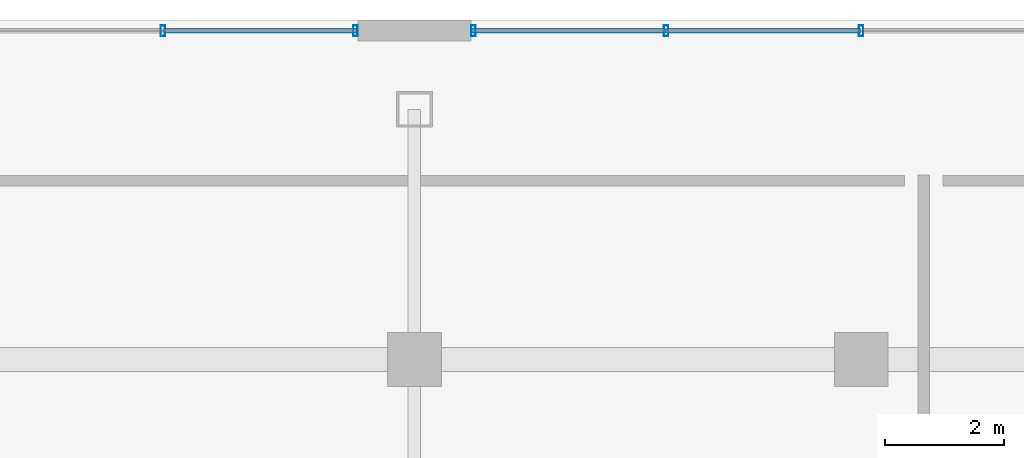
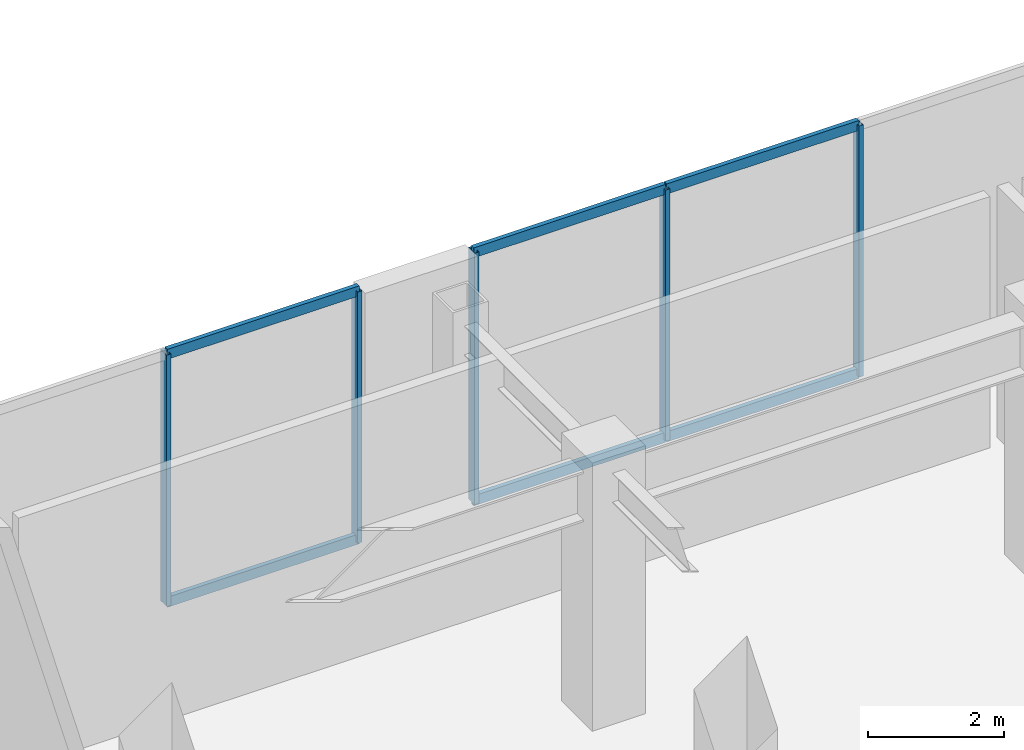
# One storey, part 6 of 15: 11 members, 2 elements without a shape of their own.
"""IFC4 building model written with IfcOpenShell, lengths in metres."""

from ifc_helpers import new_model, si_unit, direction, frame, origin, origin_2d, place, context, subcontext, project, spatial, hollow_rectangle, extrude, material, material_profile, profile_set, type_object, element, aggregate, save


model = new_model("IFC4")

# Units and contexts
model_context = context("Model", 3, precision=1e-05, world=origin(), true_north=direction((0.0, 1.0)))
body_context = subcontext(model_context, "Body", "Model", "MODEL_VIEW")
ifc_project = project(units=[si_unit("LENGTHUNIT", "METRE"), si_unit("AREAUNIT", "SQUARE_METRE"), si_unit("VOLUMEUNIT", "CUBIC_METRE"), si_unit("PLANEANGLEUNIT", "RADIAN"), si_unit("MASSUNIT", "GRAM", prefix="KILO")], contexts=[model_context])

# Site, building, storey
site_placement = place(None, origin())
site = spatial("IfcSite", under=ifc_project, at=site_placement, CompositionType="ELEMENT")
building_placement = place(site_placement, origin())
building = spatial("IfcBuilding", under=site, at=building_placement, Name="Ventersveld Concourse Tower", CompositionType="ELEMENT")
storey_placement = place(building_placement, frame((0.0, 0.0, 5.39990234375)))
storey = spatial("IfcBuildingStorey", under=building, at=storey_placement, Name="L01", CompositionType="ELEMENT", Elevation=5.39990234375)

# Curtain wall, members
ifc_material = material(Name="Anodised aluminium EN AW-6063-T6", Category="aluminium")
curtain_wall_type = type_object("IfcCurtainWallType", Name="CW-POD-2", PredefinedType="NOTDEFINED", material=ifc_material)
curtain_wall_1_placement = place(storey_placement, origin())
curtain_wall_1 = element("IfcCurtainWall", 1, at=curtain_wall_1_placement, inside=storey, type_object=curtain_wall_type, Name="L01 L01 Podium Gallery Curtain Wall 2", PredefinedType="NOTDEFINED")
ifc_material_profile_1 = material_profile(ifc_material, hollow_rectangle(XDim=0.074951171875, YDim=0.179931640625, WallThickness=0.00390625, at=origin_2d()), Name="ALU 180x75x4")
ifc_profile_set_1 = profile_set([ifc_material_profile_1], Name="Anodised aluminium EN AW-6063-T6")
member_type_1 = type_object("IfcMemberType", Name="CWM-180x75", PredefinedType="MULLION", material=ifc_profile_set_1)
member_1_placement = place(storey_placement, frame((24.52490234375, 49.52001953125, 0.0), z_axis=(0.0, 0.0, 1.0), x_axis=(1.0, 0.0, 0.0)))
member_1 = element("IfcMember", 2, at=member_1_placement, type_object=member_type_1, Name="CW-L01-N2 Mullion 04", PredefinedType="MULLION", context=body_context, shape_type="SweptSolid", body=[
    extrude(hollow_rectangle(XDim=0.074951171875, YDim=0.179931640625, WallThickness=0.00390625, at=origin_2d()), origin(), (0.0, 0.0, 1.0), 4.5),
])
member_2_placement = place(storey_placement, frame((27.760009765625, 49.52001953125, 0.0), z_axis=(0.0, 0.0, 1.0), x_axis=(1.0, 0.0, 0.0)))
member_2 = element("IfcMember", 3, at=member_2_placement, type_object=member_type_1, Name="CW-L01-N2 Mullion 05", PredefinedType="MULLION", context=body_context, shape_type="SweptSolid", body=[
    extrude(hollow_rectangle(XDim=0.074951171875, YDim=0.179931640625, WallThickness=0.00390625, at=origin_2d()), origin(), (0.0, 0.0, 1.0), 4.5),
])

curtain_wall_2_placement = place(storey_placement, origin())
curtain_wall_2 = element("IfcCurtainWall", 4, at=curtain_wall_2_placement, inside=storey, type_object=curtain_wall_type, Name="L01 L01 Podium Gallery Curtain Wall 3", PredefinedType="NOTDEFINED")
member_3_placement = place(storey_placement, frame((29.739990234375, 49.52001953125, 0.0), z_axis=(0.0, 0.0, 1.0), x_axis=(1.0, 0.0, 0.0)))
member_3 = element("IfcMember", 5, at=member_3_placement, type_object=member_type_1, Name="CW-L01-N3 Mullion 01", PredefinedType="MULLION", context=body_context, shape_type="SweptSolid", body=[
    extrude(hollow_rectangle(XDim=0.074951171875, YDim=0.179931640625, WallThickness=0.00390625, at=origin_2d()), origin(), (0.0, 0.0, 1.0), 4.5),
])
member_4_placement = place(storey_placement, frame((32.97509765625, 49.52001953125, 0.0), z_axis=(0.0, 0.0, 1.0), x_axis=(1.0, 0.0, 0.0)))
member_4 = element("IfcMember", 6, at=member_4_placement, type_object=member_type_1, Name="CW-L01-N3 Mullion 02", PredefinedType="MULLION", context=body_context, shape_type="SweptSolid", body=[
    extrude(hollow_rectangle(XDim=0.074951171875, YDim=0.179931640625, WallThickness=0.00390625, at=origin_2d()), origin(), (0.0, 0.0, 1.0), 4.5),
])
member_5_placement = place(storey_placement, frame((36.25, 49.52001953125, 0.0), z_axis=(0.0, 0.0, 1.0), x_axis=(1.0, 0.0, 0.0)))
member_5 = element("IfcMember", 7, at=member_5_placement, type_object=member_type_1, Name="CW-L01-N3 Mullion 03", PredefinedType="MULLION", context=body_context, shape_type="SweptSolid", body=[
    extrude(hollow_rectangle(XDim=0.074951171875, YDim=0.179931640625, WallThickness=0.00390625, at=origin_2d()), origin(), (0.0, 0.0, 1.0), 4.5),
])

# Member
ifc_material_profile_2 = material_profile(ifc_material, hollow_rectangle(XDim=0.074951171875, YDim=0.179931640625, WallThickness=0.00390625, at=origin_2d()), Name="ALU 180x75x4")
ifc_profile_set_2 = profile_set([ifc_material_profile_2], Name="Anodised aluminium EN AW-6063-T6")
member_type_2 = type_object("IfcMemberType", Name="CWT-180x75", PredefinedType="USERDEFINED", material=ifc_profile_set_2)
member_6_placement = place(storey_placement, frame((24.534912109375, 49.52001953125, 0.030029296875), z_axis=(1.0, 0.0, 0.0), x_axis=(0.0, 1.0, 0.0)))
member_6 = element("IfcMember", 8, at=member_6_placement, type_object=member_type_2, Name="CW-L01-N2 Transom 1-04", ObjectType="TRANSOM", PredefinedType="USERDEFINED", context=body_context, shape_type="SweptSolid", body=[
    extrude(hollow_rectangle(XDim=0.074951171875, YDim=0.179931640625, WallThickness=0.00390625, at=origin_2d()), origin(), (0.0, 0.0, 1.0), 3.2451171875),
])

member_7_placement = place(storey_placement, frame((24.534912109375, 49.52001953125, 4.47021484375), z_axis=(1.0, 0.0, 0.0), x_axis=(0.0, 1.0, 0.0)))
member_7 = element("IfcMember", 9, at=member_7_placement, type_object=member_type_2, Name="CW-L01-N2 Transom 2-04", ObjectType="TRANSOM", PredefinedType="USERDEFINED", context=body_context, shape_type="SweptSolid", body=[
    extrude(hollow_rectangle(XDim=0.074951171875, YDim=0.179931640625, WallThickness=0.00390625, at=origin_2d()), origin(), (0.0, 0.0, 1.0), 3.2451171875),
])

aggregate(curtain_wall_1, [member_1, member_2, member_6, member_7])

member_8_placement = place(storey_placement, frame((29.719970703125, 49.52001953125, 0.030029296875), z_axis=(1.0, 0.0, 0.0), x_axis=(0.0, 1.0, 0.0)))
member_8 = element("IfcMember", 10, at=member_8_placement, type_object=member_type_2, Name="CW-L01-N3 Transom 1-01", ObjectType="TRANSOM", PredefinedType="USERDEFINED", context=body_context, shape_type="SweptSolid", body=[
    extrude(hollow_rectangle(XDim=0.074951171875, YDim=0.179931640625, WallThickness=0.00390625, at=origin_2d()), origin(), (0.0, 0.0, 1.0), 3.2451171875),
])

member_9_placement = place(storey_placement, frame((32.985107421875, 49.52001953125, 0.030029296875), z_axis=(1.0, 0.0, 0.0), x_axis=(0.0, 1.0, 0.0)))
member_9 = element("IfcMember", 11, at=member_9_placement, type_object=member_type_2, Name="CW-L01-N3 Transom 1-02", ObjectType="TRANSOM", PredefinedType="USERDEFINED", context=body_context, shape_type="SweptSolid", body=[
    extrude(hollow_rectangle(XDim=0.074951171875, YDim=0.179931640625, WallThickness=0.00390625, at=origin_2d()), origin(), (0.0, 0.0, 1.0), 3.2548828125),
])

member_10_placement = place(storey_placement, frame((29.719970703125, 49.52001953125, 4.47021484375), z_axis=(1.0, 0.0, 0.0), x_axis=(0.0, 1.0, 0.0)))
member_10 = element("IfcMember", 12, at=member_10_placement, type_object=member_type_2, Name="CW-L01-N3 Transom 2-01", ObjectType="TRANSOM", PredefinedType="USERDEFINED", context=body_context, shape_type="SweptSolid", body=[
    extrude(hollow_rectangle(XDim=0.074951171875, YDim=0.179931640625, WallThickness=0.00390625, at=origin_2d()), origin(), (0.0, 0.0, 1.0), 3.2451171875),
])

member_11_placement = place(storey_placement, frame((32.985107421875, 49.52001953125, 4.47021484375), z_axis=(1.0, 0.0, 0.0), x_axis=(0.0, 1.0, 0.0)))
member_11 = element("IfcMember", 13, at=member_11_placement, type_object=member_type_2, Name="CW-L01-N3 Transom 2-02", ObjectType="TRANSOM", PredefinedType="USERDEFINED", context=body_context, shape_type="SweptSolid", body=[
    extrude(hollow_rectangle(XDim=0.074951171875, YDim=0.179931640625, WallThickness=0.00390625, at=origin_2d()), origin(), (0.0, 0.0, 1.0), 3.2548828125),
])

aggregate(curtain_wall_2, [member_3, member_4, member_5, member_8, member_9, member_10, member_11])

save(model, "model.ifc")
